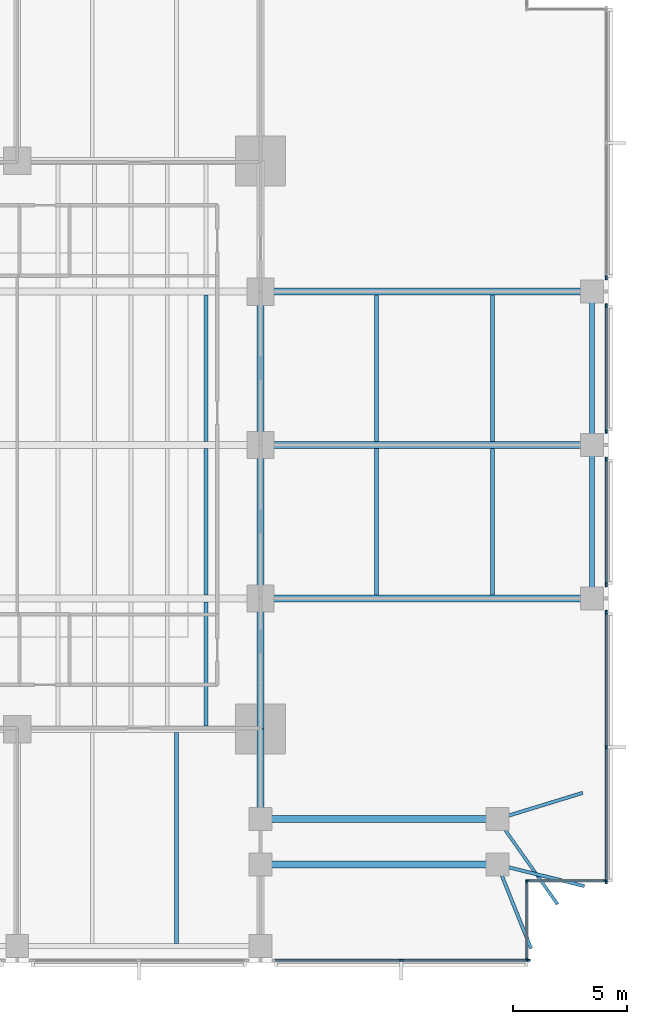
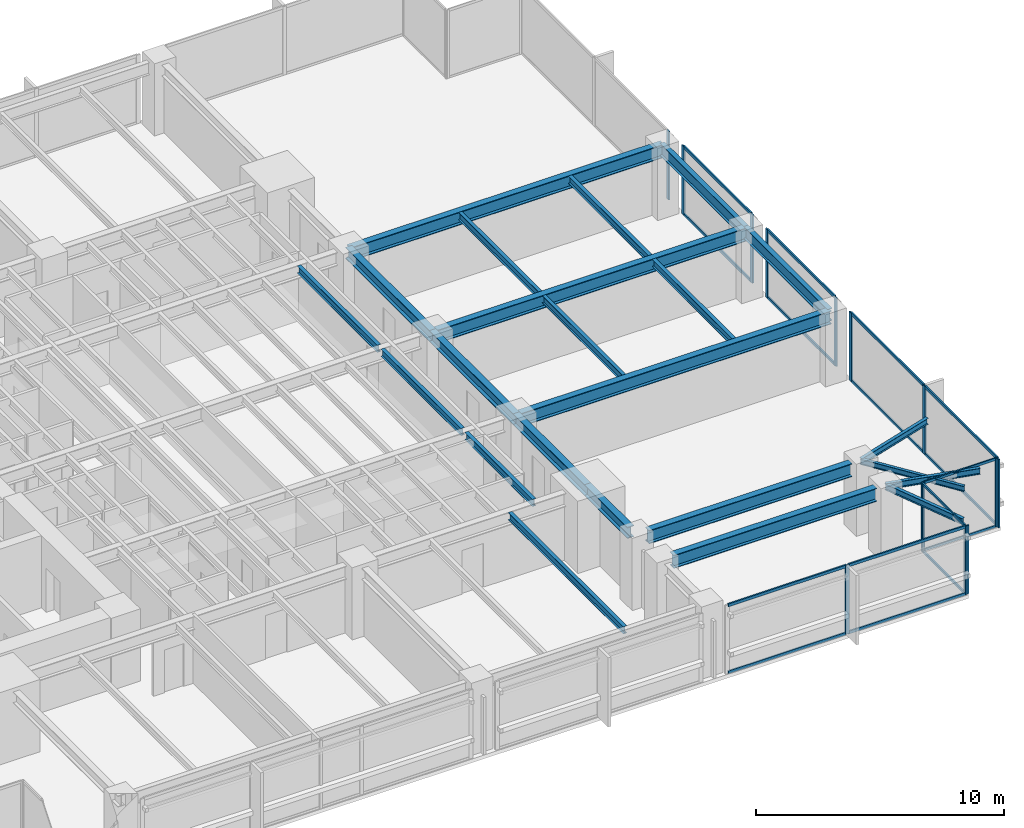
# One storey, part 4 of 16: 30 members, 23 beams, 7 elements without a shape of their own.
"""IFC4 building model written with IfcOpenShell, lengths in metres."""

from ifc_helpers import new_model, si_unit, direction, frame, origin, origin_2d, place, context, subcontext, project, spatial, rectangle, i_section, extrude, material, layer, layer_set, material_profile, profile_set, type_object, element, aggregate, save


model = new_model("IFC4")

# Units and contexts
model_context = context("Model", 3, precision=1e-05, world=origin(), true_north=direction((0.0, 1.0)))
body_context = subcontext(model_context, "Body", "Model", "MODEL_VIEW")
ifc_project = project(units=[si_unit("LENGTHUNIT", "METRE"), si_unit("AREAUNIT", "SQUARE_METRE"), si_unit("VOLUMEUNIT", "CUBIC_METRE"), si_unit("PLANEANGLEUNIT", "RADIAN"), si_unit("MASSUNIT", "GRAM", prefix="KILO")], contexts=[model_context])

# Site, building, storey
site_placement = place(None, origin())
site = spatial("IfcSite", under=ifc_project, at=site_placement, CompositionType="ELEMENT")
building_placement = place(site_placement, origin())
building = spatial("IfcBuilding", under=site, at=building_placement, Name="Kinhvarn Gate Tower", CompositionType="ELEMENT")
storey_placement = place(building_placement, frame((0.0, 0.0, 25.60009765625)))
storey = spatial("IfcBuildingStorey", under=building, at=storey_placement, Name="L05", CompositionType="ELEMENT", Elevation=25.60009765625)

# Curtain wall, members
ifc_material_1 = material(Name="Anodised aluminium AW-6063", Category="aluminium")
ifc_layer_1 = layer(ifc_material_1, 0.179931640625)
ifc_layer_set_1 = layer_set([ifc_layer_1], Name="Anodised aluminium AW-6063")
curtain_wall_type_1 = type_object("IfcCurtainWallType", Name="CW-SYS-4", PredefinedType="NOTDEFINED", material=ifc_layer_set_1)
curtain_wall_1_placement = place(storey_placement, origin())
curtain_wall_1 = element("IfcCurtainWall", 1, at=curtain_wall_1_placement, inside=storey, type_object=curtain_wall_type_1, Name="Curtain Wall CW4 (L05)", PredefinedType="NOTDEFINED")
ifc_material_profile_1 = material_profile(ifc_material_1, rectangle(XDim=0.06494140625, YDim=0.159912109375, at=origin_2d()), Name="ALU 65x160")
ifc_profile_set_1 = profile_set([ifc_material_profile_1], Name="Anodised aluminium AW-6063")
member_type_1 = type_object("IfcMemberType", Name="CW-MUL-160", PredefinedType="MULLION", material=ifc_profile_set_1)
member_1_placement = place(storey_placement, frame((49.909912109375, 2.62255859375, 0.0), z_axis=(0.0, 0.0, 1.0), x_axis=(-1.0, 0.0, 0.0)))
member_1 = element("IfcMember", 2, at=member_1_placement, type_object=member_type_1, Name="CW4 mullion 1", PredefinedType="MULLION", context=body_context, shape_type="SweptSolid", body=[
    extrude(rectangle(XDim=0.06494140625, YDim=0.159912109375, at=origin_2d()), origin(), (0.0, 0.0, 1.0), 3.369873046875),
])
member_2_placement = place(storey_placement, frame((49.909912109375, 6.0576171875, 0.0), z_axis=(0.0, 0.0, 1.0), x_axis=(-1.0, 0.0, 0.0)))
member_2 = element("IfcMember", 3, at=member_2_placement, type_object=member_type_1, Name="CW4 mullion 2", PredefinedType="MULLION", context=body_context, shape_type="SweptSolid", body=[
    extrude(rectangle(XDim=0.06494140625, YDim=0.159912109375, at=origin_2d()), origin(), (0.0, 0.0, 1.0), 3.369873046875),
])

curtain_wall_2_placement = place(storey_placement, origin())
curtain_wall_2 = element("IfcCurtainWall", 4, at=curtain_wall_2_placement, inside=storey, type_object=curtain_wall_type_1, Name="Curtain Wall CW4 (L05)", PredefinedType="NOTDEFINED")
member_3_placement = place(storey_placement, frame((49.9423828125, 6.090087890625, 0.0), z_axis=(0.0, 0.0, 1.0), x_axis=(0.0, 1.0, 0.0)))
member_3 = element("IfcMember", 5, at=member_3_placement, type_object=member_type_1, Name="CW4 mullion 1", PredefinedType="MULLION", context=body_context, shape_type="SweptSolid", body=[
    extrude(rectangle(XDim=0.06494140625, YDim=0.159912109375, at=origin_2d()), origin(), (0.0, 0.0, 1.0), 3.369873046875),
])
member_4_placement = place(storey_placement, frame((53.37744140625, 6.090087890625, 0.0), z_axis=(0.0, 0.0, 1.0), x_axis=(0.0, 1.0, 0.0)))
member_4 = element("IfcMember", 6, at=member_4_placement, type_object=member_type_1, Name="CW4 mullion 2", PredefinedType="MULLION", context=body_context, shape_type="SweptSolid", body=[
    extrude(rectangle(XDim=0.06494140625, YDim=0.159912109375, at=origin_2d()), origin(), (0.0, 0.0, 1.0), 3.369873046875),
])

ifc_layer_2 = layer(ifc_material_1, 0.179931640625)
ifc_layer_set_2 = layer_set([ifc_layer_2], Name="Anodised aluminium AW-6063")
curtain_wall_type_2 = type_object("IfcCurtainWallType", Name="CW-SYS-2", PredefinedType="NOTDEFINED", material=ifc_layer_set_2)
curtain_wall_3_placement = place(storey_placement, origin())
curtain_wall_3 = element("IfcCurtainWall", 7, at=curtain_wall_3_placement, inside=storey, type_object=curtain_wall_type_2, Name="Curtain Wall CW2 (L05)", PredefinedType="NOTDEFINED")
ifc_material_profile_2 = material_profile(ifc_material_1, rectangle(XDim=0.070068359375, YDim=0.179931640625, at=origin_2d()), Name="ALU 70x180")
ifc_profile_set_2 = profile_set([ifc_material_profile_2], Name="Anodised aluminium AW-6063")
member_type_2 = type_object("IfcMemberType", Name="CW-MUL-180", PredefinedType="MULLION", material=ifc_profile_set_2)
member_5_placement = place(storey_placement, frame((44.389892578125, 2.590087890625, 0.0), z_axis=(0.0, 0.0, 1.0), x_axis=(0.0, 1.0, 0.0)))
member_5 = element("IfcMember", 8, at=member_5_placement, type_object=member_type_2, Name="CW2 mullion 2", PredefinedType="MULLION", context=body_context, shape_type="SweptSolid", body=[
    extrude(rectangle(XDim=0.070068359375, YDim=0.179931640625, at=origin_2d()), origin(), (0.0, 0.0, 1.0), 3.369873046875),
])
member_6_placement = place(storey_placement, frame((49.965087890625, 2.590087890625, 0.0), z_axis=(0.0, 0.0, 1.0), x_axis=(0.0, 1.0, 0.0)))
member_6 = element("IfcMember", 9, at=member_6_placement, type_object=member_type_2, Name="CW2 mullion 3", PredefinedType="MULLION", context=body_context, shape_type="SweptSolid", body=[
    extrude(rectangle(XDim=0.070068359375, YDim=0.179931640625, at=origin_2d()), origin(), (0.0, 0.0, 1.0), 3.369873046875),
])

curtain_wall_4_placement = place(storey_placement, origin())
curtain_wall_4 = element("IfcCurtainWall", 10, at=curtain_wall_4_placement, inside=storey, type_object=curtain_wall_type_2, Name="Curtain Wall CW2 (L05)", PredefinedType="NOTDEFINED")
member_7_placement = place(storey_placement, frame((53.409912109375, 6.034912109375, 0.0), z_axis=(0.0, 0.0, 1.0), x_axis=(-1.0, 0.0, 0.0)))
member_7 = element("IfcMember", 11, at=member_7_placement, type_object=member_type_2, Name="CW2 mullion 1", PredefinedType="MULLION", context=body_context, shape_type="SweptSolid", body=[
    extrude(rectangle(XDim=0.070068359375, YDim=0.179931640625, at=origin_2d()), origin(), (0.0, 0.0, 1.0), 3.369873046875),
])
member_8_placement = place(storey_placement, frame((53.409912109375, 11.9599609375, 0.0), z_axis=(0.0, 0.0, 1.0), x_axis=(-1.0, 0.0, 0.0)))
member_8 = element("IfcMember", 12, at=member_8_placement, type_object=member_type_2, Name="CW2 mullion 2", PredefinedType="MULLION", context=body_context, shape_type="SweptSolid", body=[
    extrude(rectangle(XDim=0.070068359375, YDim=0.179931640625, at=origin_2d()), origin(), (0.0, 0.0, 1.0), 3.369873046875),
])
member_9_placement = place(storey_placement, frame((53.409912109375, 17.885009765625, 0.0), z_axis=(0.0, 0.0, 1.0), x_axis=(-1.0, 0.0, 0.0)))
member_9 = element("IfcMember", 13, at=member_9_placement, type_object=member_type_2, Name="CW2 mullion 3", PredefinedType="MULLION", context=body_context, shape_type="SweptSolid", body=[
    extrude(rectangle(XDim=0.070068359375, YDim=0.179931640625, at=origin_2d()), origin(), (0.0, 0.0, 1.0), 3.369873046875),
])

curtain_wall_5_placement = place(storey_placement, origin())
curtain_wall_5 = element("IfcCurtainWall", 14, at=curtain_wall_5_placement, inside=storey, type_object=curtain_wall_type_2, Name="Curtain Wall CW2 (L05)", PredefinedType="NOTDEFINED")
member_10_placement = place(storey_placement, frame((53.409912109375, 19.114990234375, 0.0), z_axis=(0.0, 0.0, 1.0), x_axis=(-1.0, 0.0, 0.0)))
member_10 = element("IfcMember", 15, at=member_10_placement, type_object=member_type_2, Name="CW2 mullion 1", PredefinedType="MULLION", context=body_context, shape_type="SweptSolid", body=[
    extrude(rectangle(XDim=0.070068359375, YDim=0.179931640625, at=origin_2d()), origin(), (0.0, 0.0, 1.0), 3.369873046875),
])
member_11_placement = place(storey_placement, frame((53.409912109375, 24.635009765625, 0.0), z_axis=(0.0, 0.0, 1.0), x_axis=(-1.0, 0.0, 0.0)))
member_11 = element("IfcMember", 16, at=member_11_placement, type_object=member_type_2, Name="CW2 mullion 2", PredefinedType="MULLION", context=body_context, shape_type="SweptSolid", body=[
    extrude(rectangle(XDim=0.070068359375, YDim=0.179931640625, at=origin_2d()), origin(), (0.0, 0.0, 1.0), 3.369873046875),
])

curtain_wall_6_placement = place(storey_placement, origin())
curtain_wall_6 = element("IfcCurtainWall", 17, at=curtain_wall_6_placement, inside=storey, type_object=curtain_wall_type_2, Name="Curtain Wall CW2 (L05)", PredefinedType="NOTDEFINED")
member_12_placement = place(storey_placement, frame((53.409912109375, 25.864990234375, 0.0), z_axis=(0.0, 0.0, 1.0), x_axis=(-1.0, 0.0, 0.0)))
member_12 = element("IfcMember", 18, at=member_12_placement, type_object=member_type_2, Name="CW2 mullion 1", PredefinedType="MULLION", context=body_context, shape_type="SweptSolid", body=[
    extrude(rectangle(XDim=0.070068359375, YDim=0.179931640625, at=origin_2d()), origin(), (0.0, 0.0, 1.0), 3.369873046875),
])
member_13_placement = place(storey_placement, frame((53.409912109375, 31.385009765625, 0.0), z_axis=(0.0, 0.0, 1.0), x_axis=(-1.0, 0.0, 0.0)))
member_13 = element("IfcMember", 19, at=member_13_placement, type_object=member_type_2, Name="CW2 mullion 2", PredefinedType="MULLION", context=body_context, shape_type="SweptSolid", body=[
    extrude(rectangle(XDim=0.070068359375, YDim=0.179931640625, at=origin_2d()), origin(), (0.0, 0.0, 1.0), 3.369873046875),
])

# Curtain wall, member
curtain_wall_7_placement = place(storey_placement, origin())
curtain_wall_7 = element("IfcCurtainWall", 20, at=curtain_wall_7_placement, inside=storey, type_object=curtain_wall_type_2, Name="Curtain Wall CW2 (L05)", PredefinedType="NOTDEFINED")
member_14_placement = place(storey_placement, frame((53.409912109375, 32.614990234375, 0.0), z_axis=(0.0, 0.0, 1.0), x_axis=(-1.0, 0.0, 0.0)))
member_14 = element("IfcMember", 21, at=member_14_placement, type_object=member_type_2, Name="CW2 mullion 1", PredefinedType="MULLION", context=body_context, shape_type="SweptSolid", body=[
    extrude(rectangle(XDim=0.070068359375, YDim=0.179931640625, at=origin_2d()), origin(), (0.0, 0.0, 1.0), 3.369873046875),
])
aggregate(curtain_wall_7, [member_14])

# Member
ifc_material_profile_3 = material_profile(ifc_material_1, rectangle(XDim=0.06494140625, YDim=0.1201171875, at=origin_2d()), Name="ALU 65x120")
ifc_profile_set_3 = profile_set([ifc_material_profile_3], Name="Anodised aluminium AW-6063")
member_type_3 = type_object("IfcMemberType", Name="CW-TRN-120", PredefinedType="USERDEFINED", material=ifc_profile_set_3)
member_15_placement = place(storey_placement, frame((49.909912109375, 2.655029296875, 0.032470703125), z_axis=(0.0, 1.0, 0.0), x_axis=(-1.0, 0.0, 0.0)))
member_15 = element("IfcMember", 22, at=member_15_placement, type_object=member_type_3, Name="CW4 transom 1.1", ObjectType="TRANSOM", PredefinedType="USERDEFINED", context=body_context, shape_type="SweptSolid", body=[
    extrude(rectangle(XDim=0.06494140625, YDim=0.1201171875, at=origin_2d()), origin(), (0.0, 0.0, 1.0), 3.369873046875),
])

member_16_placement = place(storey_placement, frame((49.909912109375, 2.655029296875, 3.33740234375), z_axis=(0.0, 1.0, 0.0), x_axis=(-1.0, 0.0, 0.0)))
member_16 = element("IfcMember", 23, at=member_16_placement, type_object=member_type_3, Name="CW4 transom 1.2", ObjectType="TRANSOM", PredefinedType="USERDEFINED", context=body_context, shape_type="SweptSolid", body=[
    extrude(rectangle(XDim=0.06494140625, YDim=0.1201171875, at=origin_2d()), origin(), (0.0, 0.0, 1.0), 3.369873046875),
])

aggregate(curtain_wall_1, [member_1, member_2, member_15, member_16])

member_17_placement = place(storey_placement, frame((49.97509765625, 6.090087890625, 0.032470703125), z_axis=(1.0, 0.0, 0.0), x_axis=(0.0, 1.0, 0.0)))
member_17 = element("IfcMember", 24, at=member_17_placement, type_object=member_type_3, Name="CW4 transom 1.1", ObjectType="TRANSOM", PredefinedType="USERDEFINED", context=body_context, shape_type="SweptSolid", body=[
    extrude(rectangle(XDim=0.06494140625, YDim=0.1201171875, at=origin_2d()), origin(), (0.0, 0.0, 1.0), 3.369873046875),
])

member_18_placement = place(storey_placement, frame((49.97509765625, 6.090087890625, 3.33740234375), z_axis=(1.0, 0.0, 0.0), x_axis=(0.0, 1.0, 0.0)))
member_18 = element("IfcMember", 25, at=member_18_placement, type_object=member_type_3, Name="CW4 transom 1.2", ObjectType="TRANSOM", PredefinedType="USERDEFINED", context=body_context, shape_type="SweptSolid", body=[
    extrude(rectangle(XDim=0.06494140625, YDim=0.1201171875, at=origin_2d()), origin(), (0.0, 0.0, 1.0), 3.369873046875),
])

aggregate(curtain_wall_2, [member_3, member_4, member_17, member_18])

ifc_material_profile_4 = material_profile(ifc_material_1, rectangle(XDim=0.070068359375, YDim=0.139892578125, at=origin_2d()), Name="ALU 70x140")
ifc_profile_set_4 = profile_set([ifc_material_profile_4], Name="Anodised aluminium AW-6063")
member_type_4 = type_object("IfcMemberType", Name="CW-TRN-140", PredefinedType="USERDEFINED", material=ifc_profile_set_4)
member_19_placement = place(storey_placement, frame((38.85009765625, 2.590087890625, 0.034912109375), z_axis=(1.0, 0.0, 0.0), x_axis=(0.0, 1.0, 0.0)))
member_19 = element("IfcMember", 26, at=member_19_placement, type_object=member_type_4, Name="CW2 transom 1.1", ObjectType="TRANSOM", PredefinedType="USERDEFINED", context=body_context, shape_type="SweptSolid", body=[
    extrude(rectangle(XDim=0.070068359375, YDim=0.139892578125, at=origin_2d()), origin(), (0.0, 0.0, 1.0), 5.5048828125),
])

member_20_placement = place(storey_placement, frame((38.85009765625, 2.590087890625, 3.3349609375), z_axis=(1.0, 0.0, 0.0), x_axis=(0.0, 1.0, 0.0)))
member_20 = element("IfcMember", 27, at=member_20_placement, type_object=member_type_4, Name="CW2 transom 1.2", ObjectType="TRANSOM", PredefinedType="USERDEFINED", context=body_context, shape_type="SweptSolid", body=[
    extrude(rectangle(XDim=0.070068359375, YDim=0.139892578125, at=origin_2d()), origin(), (0.0, 0.0, 1.0), 5.5048828125),
])

member_21_placement = place(storey_placement, frame((44.425048828125, 2.590087890625, 0.034912109375), z_axis=(1.0, 0.0, 0.0), x_axis=(0.0, 1.0, 0.0)))
member_21 = element("IfcMember", 28, at=member_21_placement, type_object=member_type_4, Name="CW2 transom 2.1", ObjectType="TRANSOM", PredefinedType="USERDEFINED", context=body_context, shape_type="SweptSolid", body=[
    extrude(rectangle(XDim=0.070068359375, YDim=0.139892578125, at=origin_2d()), origin(), (0.0, 0.0, 1.0), 5.5048828125),
])

member_22_placement = place(storey_placement, frame((44.425048828125, 2.590087890625, 3.3349609375), z_axis=(1.0, 0.0, 0.0), x_axis=(0.0, 1.0, 0.0)))
member_22 = element("IfcMember", 29, at=member_22_placement, type_object=member_type_4, Name="CW2 transom 2.2", ObjectType="TRANSOM", PredefinedType="USERDEFINED", context=body_context, shape_type="SweptSolid", body=[
    extrude(rectangle(XDim=0.070068359375, YDim=0.139892578125, at=origin_2d()), origin(), (0.0, 0.0, 1.0), 5.5048828125),
])

aggregate(curtain_wall_3, [member_5, member_6, member_19, member_20, member_21, member_22])

member_23_placement = place(storey_placement, frame((53.409912109375, 6.070068359375, 0.034912109375), z_axis=(0.0, 1.0, 0.0), x_axis=(-1.0, 0.0, 0.0)))
member_23 = element("IfcMember", 30, at=member_23_placement, type_object=member_type_4, Name="CW2 transom 1.1", ObjectType="TRANSOM", PredefinedType="USERDEFINED", context=body_context, shape_type="SweptSolid", body=[
    extrude(rectangle(XDim=0.070068359375, YDim=0.139892578125, at=origin_2d()), origin(), (0.0, 0.0, 1.0), 5.85498046875),
])

member_24_placement = place(storey_placement, frame((53.409912109375, 6.070068359375, 3.3349609375), z_axis=(0.0, 1.0, 0.0), x_axis=(-1.0, 0.0, 0.0)))
member_24 = element("IfcMember", 31, at=member_24_placement, type_object=member_type_4, Name="CW2 transom 1.2", ObjectType="TRANSOM", PredefinedType="USERDEFINED", context=body_context, shape_type="SweptSolid", body=[
    extrude(rectangle(XDim=0.070068359375, YDim=0.139892578125, at=origin_2d()), origin(), (0.0, 0.0, 1.0), 5.85498046875),
])

member_25_placement = place(storey_placement, frame((53.409912109375, 11.9951171875, 0.034912109375), z_axis=(0.0, 1.0, 0.0), x_axis=(-1.0, 0.0, 0.0)))
member_25 = element("IfcMember", 32, at=member_25_placement, type_object=member_type_4, Name="CW2 transom 2.1", ObjectType="TRANSOM", PredefinedType="USERDEFINED", context=body_context, shape_type="SweptSolid", body=[
    extrude(rectangle(XDim=0.070068359375, YDim=0.139892578125, at=origin_2d()), origin(), (0.0, 0.0, 1.0), 5.85498046875),
])

member_26_placement = place(storey_placement, frame((53.409912109375, 11.9951171875, 3.3349609375), z_axis=(0.0, 1.0, 0.0), x_axis=(-1.0, 0.0, 0.0)))
member_26 = element("IfcMember", 33, at=member_26_placement, type_object=member_type_4, Name="CW2 transom 2.2", ObjectType="TRANSOM", PredefinedType="USERDEFINED", context=body_context, shape_type="SweptSolid", body=[
    extrude(rectangle(XDim=0.070068359375, YDim=0.139892578125, at=origin_2d()), origin(), (0.0, 0.0, 1.0), 5.85498046875),
])

aggregate(curtain_wall_4, [member_7, member_8, member_9, member_23, member_24, member_25, member_26])

member_27_placement = place(storey_placement, frame((53.409912109375, 19.14990234375, 0.034912109375), z_axis=(0.0, 1.0, 0.0), x_axis=(-1.0, 0.0, 0.0)))
member_27 = element("IfcMember", 34, at=member_27_placement, type_object=member_type_4, Name="CW2 transom 1.1", ObjectType="TRANSOM", PredefinedType="USERDEFINED", context=body_context, shape_type="SweptSolid", body=[
    extrude(rectangle(XDim=0.070068359375, YDim=0.139892578125, at=origin_2d()), origin(), (0.0, 0.0, 1.0), 5.4501953125),
])

member_28_placement = place(storey_placement, frame((53.409912109375, 19.14990234375, 3.3349609375), z_axis=(0.0, 1.0, 0.0), x_axis=(-1.0, 0.0, 0.0)))
member_28 = element("IfcMember", 35, at=member_28_placement, type_object=member_type_4, Name="CW2 transom 1.2", ObjectType="TRANSOM", PredefinedType="USERDEFINED", context=body_context, shape_type="SweptSolid", body=[
    extrude(rectangle(XDim=0.070068359375, YDim=0.139892578125, at=origin_2d()), origin(), (0.0, 0.0, 1.0), 5.4501953125),
])

aggregate(curtain_wall_5, [member_10, member_11, member_27, member_28])

member_29_placement = place(storey_placement, frame((53.409912109375, 25.89990234375, 0.034912109375), z_axis=(0.0, 1.0, 0.0), x_axis=(-1.0, 0.0, 0.0)))
member_29 = element("IfcMember", 36, at=member_29_placement, type_object=member_type_4, Name="CW2 transom 1.1", ObjectType="TRANSOM", PredefinedType="USERDEFINED", context=body_context, shape_type="SweptSolid", body=[
    extrude(rectangle(XDim=0.070068359375, YDim=0.139892578125, at=origin_2d()), origin(), (0.0, 0.0, 1.0), 5.4501953125),
])

member_30_placement = place(storey_placement, frame((53.409912109375, 25.89990234375, 3.3349609375), z_axis=(0.0, 1.0, 0.0), x_axis=(-1.0, 0.0, 0.0)))
member_30 = element("IfcMember", 37, at=member_30_placement, type_object=member_type_4, Name="CW2 transom 1.2", ObjectType="TRANSOM", PredefinedType="USERDEFINED", context=body_context, shape_type="SweptSolid", body=[
    extrude(rectangle(XDim=0.070068359375, YDim=0.139892578125, at=origin_2d()), origin(), (0.0, 0.0, 1.0), 5.4501953125),
])

aggregate(curtain_wall_6, [member_12, member_13, member_29, member_30])

# Beams
ifc_material_2 = material(Name="Steel S355", Category="steel")
ifc_material_profile_5 = material_profile(ifc_material_2, i_section(OverallWidth=0.300048828125, OverallDepth=0.550048828125, WebThickness=0.014892578125, FlangeThickness=0.029052734375, at=origin_2d()), Name="HEB 550")
ifc_profile_set_5 = profile_set([ifc_material_profile_5], Name="Steel S355")
beam_type_1 = type_object("IfcBeamType", Name="STL-HEB550", PredefinedType="BEAM", material=ifc_profile_set_5)
beam_1_placement = place(storey_placement, frame((38.199951171875, 9.284912109375, 3.094970703125), z_axis=(0.0, 1.0, 0.0), x_axis=(-1.0, 0.0, 0.0)))
element("IfcBeam", 38, at=beam_1_placement, inside=storey, type_object=beam_type_1, Name="Floor Beam PG-15 (L05 MCE-S-A2)", PredefinedType="BEAM", context=body_context, shape_type="SweptSolid", body=[
    extrude(i_section(OverallWidth=0.300048828125, OverallDepth=0.550048828125, WebThickness=0.014892578125, FlangeThickness=0.029052734375, at=origin_2d()), origin(), (0.0, 0.0, 1.0), 3.465087890625),
])
beam_2_placement = place(storey_placement, frame((38.199951171875, 12.75, 3.094970703125), z_axis=(0.0, 1.0, 0.0), x_axis=(-1.0, 0.0, 0.0)))
element("IfcBeam", 39, at=beam_2_placement, inside=storey, type_object=beam_type_1, Name="Floor Beam PG-15 (L05 MG-E-12)", PredefinedType="BEAM", context=body_context, shape_type="SweptSolid", body=[
    extrude(i_section(OverallWidth=0.300048828125, OverallDepth=0.550048828125, WebThickness=0.014892578125, FlangeThickness=0.029052734375, at=origin_2d()), origin(), (0.0, 0.0, 1.0), 5.75),
])
for number, where, z_axis, x_axis, name in (
    (40, (38.199951171875, 18.5, 3.094970703125), (0.0, 1.0, 0.0), (-1.0, 0.0, 0.0), "Floor Beam PG-15 (L05 MG-E-18)"),
    (41, (38.199951171875, 25.25, 3.094970703125), (0.0, 1.0, 0.0), (-1.0, 0.0, 0.0), "Floor Beam PG-15 (L05 MG-E-25)"),
):
    element("IfcBeam", number, at=place(storey_placement, frame(where, z_axis=z_axis, x_axis=x_axis)), inside=storey, type_object=beam_type_1, Name=name, PredefinedType="BEAM", context=body_context, shape_type="SweptSolid", body=[
        extrude(i_section(OverallWidth=0.300048828125, OverallDepth=0.550048828125, WebThickness=0.014892578125, FlangeThickness=0.029052734375, at=origin_2d()), origin(), (0.0, 0.0, 1.0), 6.75),
    ])
ifc_material_profile_6 = material_profile(ifc_material_2, i_section(OverallWidth=0.300048828125, OverallDepth=0.64990234375, WebThickness=0.01611328125, FlangeThickness=0.031005859375, at=origin_2d()), Name="HEB 650")
ifc_profile_set_6 = profile_set([ifc_material_profile_6], Name="Steel S355")
beam_type_2 = type_object("IfcBeamType", Name="STL-HEB650", PredefinedType="BEAM", material=ifc_profile_set_6)
for number, where, z_axis, x_axis, name in (
    (42, (38.68505859375, 8.800048828125, 3.044921875), (1.0, 0.0, 0.0), (0.0, 1.0, 0.0), "Floor Beam PG-17 (L05 SP-SE1B)"),
    (43, (38.68505859375, 6.800048828125, 3.044921875), (1.0, 0.0, 0.0), (0.0, 1.0, 0.0), "Floor Beam PG-17 (L05 SP-SE1A)"),
):
    element("IfcBeam", number, at=place(storey_placement, frame(where, z_axis=z_axis, x_axis=x_axis)), inside=storey, type_object=beam_type_2, Name=name, PredefinedType="BEAM", context=body_context, shape_type="SweptSolid", body=[
        extrude(i_section(OverallWidth=0.300048828125, OverallDepth=0.64990234375, WebThickness=0.01611328125, FlangeThickness=0.031005859375, at=origin_2d()), origin(), (0.0, 0.0, 1.0), 9.449951171875),
    ])
for number, where, z_axis, x_axis, name in (
    (44, (38.199951171875, 18.5, 3.044921875), (1.0, 0.0, 0.0), (0.0, 1.0, 0.0), "Floor Beam PG-17 (L05 EW2-Y18)"),
    (45, (38.199951171875, 25.25, 3.044921875), (1.0, 0.0, 0.0), (0.0, 1.0, 0.0), "Floor Beam PG-17 (L05 EW2-Y25)"),
    (46, (38.199951171875, 32.0, 3.044921875), (1.0, 0.0, 0.0), (0.0, 1.0, 0.0), "Floor Beam PG-17 (L05 EW2-Y32)"),
):
    element("IfcBeam", number, at=place(storey_placement, frame(where, z_axis=z_axis, x_axis=x_axis)), inside=storey, type_object=beam_type_2, Name=name, PredefinedType="BEAM", context=body_context, shape_type="SweptSolid", body=[
        extrude(i_section(OverallWidth=0.300048828125, OverallDepth=0.64990234375, WebThickness=0.01611328125, FlangeThickness=0.031005859375, at=origin_2d()), origin(), (0.0, 0.0, 1.0), 14.580078125),
    ])
ifc_material_profile_7 = material_profile(ifc_material_2, i_section(OverallWidth=0.135009765625, OverallDepth=0.27001953125, WebThickness=0.006591796875, FlangeThickness=0.01025390625, at=origin_2d()), Name="IPE 270")
ifc_profile_set_7 = profile_set([ifc_material_profile_7], Name="Steel S355")
beam_type_3 = type_object("IfcBeamType", Name="STL-IPE270", PredefinedType="JOIST", material=ifc_profile_set_7)
beam_3_placement = place(storey_placement, frame((48.6201171875, 8.800048828125, 3.23486328125), z_axis=(0.57709644225, -0.81667600451, 0.0), x_axis=(0.81667600451, 0.57709644225, 0.0)))
element("IfcBeam", 47, at=beam_3_placement, inside=storey, type_object=beam_type_3, Name="Floor Joist SB-01 (L05 BAL-B3-L06)", PredefinedType="JOIST", context=body_context, shape_type="SweptSolid", body=[
    extrude(i_section(OverallWidth=0.135009765625, OverallDepth=0.27001953125, WebThickness=0.006591796875, FlangeThickness=0.01025390625, at=origin_2d()), origin(), (0.0, 0.0, 1.0), 4.591796875),
])
ifc_material_profile_8 = material_profile(ifc_material_2, i_section(OverallWidth=0.14990234375, OverallDepth=0.300048828125, WebThickness=0.007080078125, FlangeThickness=0.0107421875, at=origin_2d()), Name="IPE 300")
ifc_profile_set_8 = profile_set([ifc_material_profile_8], Name="Steel S355")
beam_type_4 = type_object("IfcBeamType", Name="STL-IPE300", PredefinedType="JOIST", material=ifc_profile_set_8)
beam_4_placement = place(storey_placement, frame((48.6201171875, 6.800048828125, 3.219970703125), z_axis=(0.97058851083, -0.240744558911, 0.0), x_axis=(0.240744558911, 0.97058851083, 0.0)))
element("IfcBeam", 48, at=beam_4_placement, inside=storey, type_object=beam_type_4, Name="Floor Joist SB-02 (L05 BAL-B1-L06)", PredefinedType="JOIST", context=body_context, shape_type="SweptSolid", body=[
    extrude(i_section(OverallWidth=0.14990234375, OverallDepth=0.300048828125, WebThickness=0.007080078125, FlangeThickness=0.0107421875, at=origin_2d()), origin(), (0.0, 0.0, 1.0), 3.94580078125),
])
beam_5_placement = place(storey_placement, frame((48.6201171875, 6.800048828125, 3.219970703125), z_axis=(0.371390676354, -0.928476690885, 0.0), x_axis=(0.928476690885, 0.371390676354, 0.0)))
element("IfcBeam", 49, at=beam_5_placement, inside=storey, type_object=beam_type_4, Name="Floor Joist SB-02 (L05 BAL-B2-L06)", PredefinedType="JOIST", context=body_context, shape_type="SweptSolid", body=[
    extrude(i_section(OverallWidth=0.14990234375, OverallDepth=0.300048828125, WebThickness=0.007080078125, FlangeThickness=0.0107421875, at=origin_2d()), origin(), (0.0, 0.0, 1.0), 3.98486328125),
])
beam_6_placement = place(storey_placement, frame((48.6201171875, 8.800048828125, 3.219970703125), z_axis=(0.95606118681, 0.293167199862, 0.0), x_axis=(-0.293167199862, 0.95606118681, 0.0)))
element("IfcBeam", 50, at=beam_6_placement, inside=storey, type_object=beam_type_4, Name="Floor Joist SB-02 (L05 BAL-B5-L06)", PredefinedType="JOIST", context=body_context, shape_type="SweptSolid", body=[
    extrude(i_section(OverallWidth=0.14990234375, OverallDepth=0.300048828125, WebThickness=0.007080078125, FlangeThickness=0.0107421875, at=origin_2d()), origin(), (0.0, 0.0, 1.0), 3.92236328125),
])
ifc_material_profile_9 = material_profile(ifc_material_2, i_section(OverallWidth=0.169921875, OverallDepth=0.360107421875, WebThickness=0.008056640625, FlangeThickness=0.0126953125, at=origin_2d()), Name="IPE 360")
ifc_profile_set_9 = profile_set([ifc_material_profile_9], Name="Steel S355")
beam_type_5 = type_object("IfcBeamType", Name="STL-IPE360", PredefinedType="JOIST", material=ifc_profile_set_9)
beam_7_placement = place(storey_placement, frame((35.800048828125, 12.89990234375, 3.18994140625), z_axis=(0.0, 1.0, 0.0), x_axis=(-1.0, 0.0, 0.0)))
element("IfcBeam", 51, at=beam_7_placement, inside=storey, type_object=beam_type_5, Name="Floor Joist SB-04 (L05 JC-X358-0)", PredefinedType="JOIST", context=body_context, shape_type="SweptSolid", body=[
    extrude(i_section(OverallWidth=0.169921875, OverallDepth=0.360107421875, WebThickness=0.008056640625, FlangeThickness=0.0126953125, at=origin_2d()), origin(), (0.0, 0.0, 1.0), 5.4501953125),
])
for number, where, z_axis, x_axis, name in (
    (52, (35.800048828125, 18.64990234375, 3.18994140625), (0.0, 1.0, 0.0), (-1.0, 0.0, 0.0), "Floor Joist SB-04 (L05 JC-X358-1)"),
    (53, (35.800048828125, 25.39990234375, 3.18994140625), (0.0, 1.0, 0.0), (-1.0, 0.0, 0.0), "Floor Joist SB-04 (L05 JC-X358-2)"),
    (54, (43.300048828125, 18.64990234375, 3.18994140625), (0.0, 1.0, 0.0), (-1.0, 0.0, 0.0), "Floor Joist SB-04 (L05 JC-X433-1)"),
    (55, (43.300048828125, 25.39990234375, 3.18994140625), (0.0, 1.0, 0.0), (-1.0, 0.0, 0.0), "Floor Joist SB-04 (L05 JC-X433-2)"),
    (56, (48.409912109375, 18.64990234375, 3.18994140625), (0.0, 1.0, 0.0), (-1.0, 0.0, 0.0), "Floor Joist SB-04 (L05 JC-X484-1)"),
    (57, (48.409912109375, 25.39990234375, 3.18994140625), (0.0, 1.0, 0.0), (-1.0, 0.0, 0.0), "Floor Joist SB-04 (L05 JC-X484-2)"),
):
    element("IfcBeam", number, at=place(storey_placement, frame(where, z_axis=z_axis, x_axis=x_axis)), inside=storey, type_object=beam_type_5, Name=name, PredefinedType="JOIST", context=body_context, shape_type="SweptSolid", body=[
        extrude(i_section(OverallWidth=0.169921875, OverallDepth=0.360107421875, WebThickness=0.008056640625, FlangeThickness=0.0126953125, at=origin_2d()), origin(), (0.0, 0.0, 1.0), 6.4501953125),
    ])
beam_8_placement = place(storey_placement, frame((34.5, 3.330078125, 3.18994140625), z_axis=(0.0, 1.0, 0.0), x_axis=(-1.0, 0.0, 0.0)))
element("IfcBeam", 58, at=beam_8_placement, inside=storey, type_object=beam_type_5, Name="Floor Joist SB-04 (L05 JS-X345)", PredefinedType="JOIST", context=body_context, shape_type="SweptSolid", body=[
    extrude(i_section(OverallWidth=0.169921875, OverallDepth=0.360107421875, WebThickness=0.008056640625, FlangeThickness=0.0126953125, at=origin_2d()), origin(), (0.0, 0.0, 1.0), 9.27001953125),
])
ifc_material_profile_10 = material_profile(ifc_material_2, i_section(OverallWidth=0.219970703125, OverallDepth=0.60009765625, WebThickness=0.011962890625, FlangeThickness=0.01904296875, at=origin_2d()), Name="IPE 600")
ifc_profile_set_10 = profile_set([ifc_material_profile_10], Name="Steel S355")
beam_type_6 = type_object("IfcBeamType", Name="STL-IPE600", PredefinedType="SPANDREL", material=ifc_profile_set_10)
for number, where, z_axis, x_axis, name in (
    (59, (52.780029296875, 18.5, 3.06982421875), (0.0, 1.0, 0.0), (-1.0, 0.0, 0.0), "Floor Spandrel SB-09 (L05 SP-E2)"),
    (60, (52.780029296875, 25.25, 3.06982421875), (0.0, 1.0, 0.0), (-1.0, 0.0, 0.0), "Floor Spandrel SB-09 (L05 SP-E3)"),
):
    element("IfcBeam", number, at=place(storey_placement, frame(where, z_axis=z_axis, x_axis=x_axis)), inside=storey, type_object=beam_type_6, Name=name, PredefinedType="SPANDREL", context=body_context, shape_type="SweptSolid", body=[
        extrude(i_section(OverallWidth=0.219970703125, OverallDepth=0.60009765625, WebThickness=0.011962890625, FlangeThickness=0.01904296875, at=origin_2d()), origin(), (0.0, 0.0, 1.0), 6.75),
    ])

save(model, "model.ifc")
